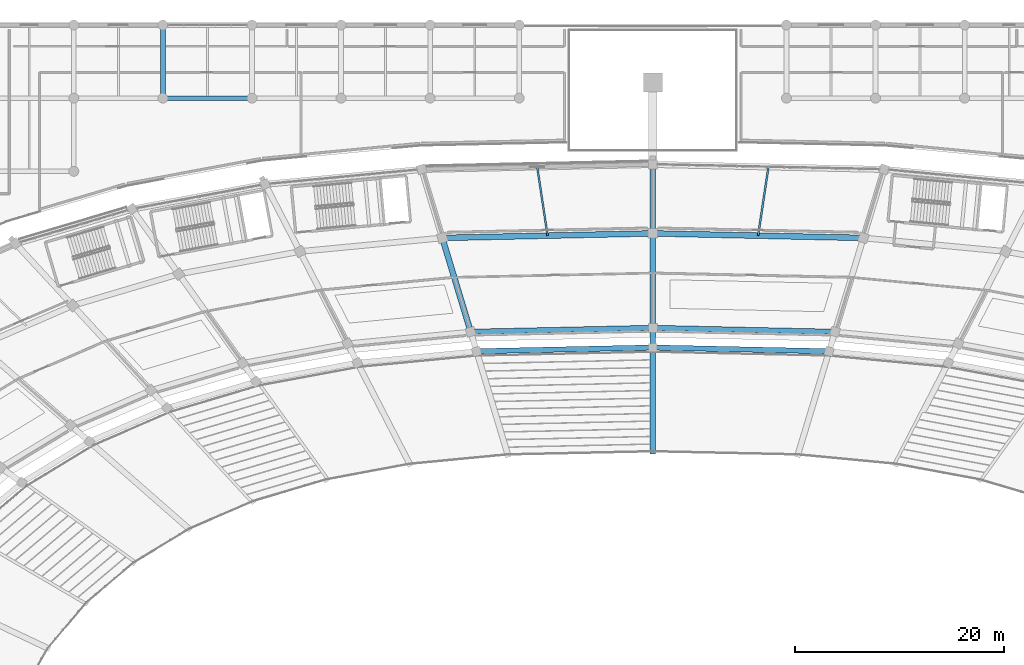
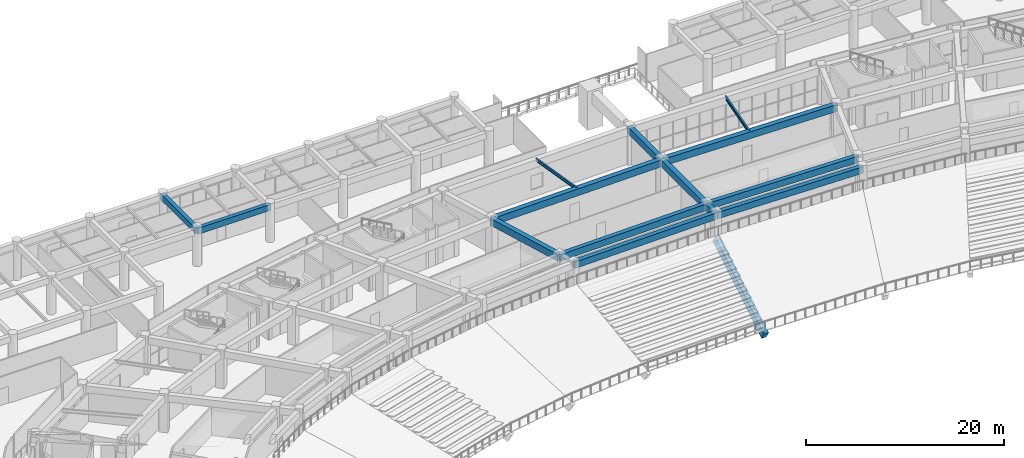
# One storey, part 65 of 152: 15 beams.
"""IFC4 building model written with IfcOpenShell, lengths in metres."""

from ifc_helpers import new_model, si_unit, direction, frame, origin, origin_2d, place, context, subcontext, project, spatial, rectangle, i_section, extrude, material, material_profile, profile_set, type_object, element, save


model = new_model("IFC4")

# Units and contexts
model_context = context("Model", 3, precision=1e-05, world=origin(), true_north=direction((0.0, 1.0)))
body_context = subcontext(model_context, "Body", "Model", "MODEL_VIEW")
ifc_project = project(units=[si_unit("LENGTHUNIT", "METRE"), si_unit("AREAUNIT", "SQUARE_METRE"), si_unit("VOLUMEUNIT", "CUBIC_METRE"), si_unit("PLANEANGLEUNIT", "RADIAN"), si_unit("MASSUNIT", "GRAM", prefix="KILO")], contexts=[model_context])

# Site, building, storey
site_placement = place(None, origin())
site = spatial("IfcSite", under=ifc_project, at=site_placement, CompositionType="ELEMENT")
building_placement = place(site_placement, origin())
building = spatial("IfcBuilding", under=site, at=building_placement, Name="Mphavela Belvedere Stadium", CompositionType="ELEMENT")
storey_placement = place(building_placement, frame((0.0, 0.0, 5.39990234375)))
storey = spatial("IfcBuildingStorey", under=building, at=storey_placement, Name="L01", CompositionType="ELEMENT", Elevation=5.39990234375)

# Beams
ifc_material_1 = material(Name="Steel S355", Category="steel")
ifc_material_profile_1 = material_profile(ifc_material_1, i_section(OverallWidth=0.169921875, OverallDepth=0.360107421875, WebThickness=0.008056640625, FlangeThickness=0.0126953125, at=origin_2d()), Name="IPE 360")
ifc_profile_set_1 = profile_set([ifc_material_profile_1], Name="Steel S355")
beam_type_1 = type_object("IfcBeamType", Name="BM-JOIST-IPE360", PredefinedType="JOIST", material=ifc_profile_set_1)
beam_1_placement = place(storey_placement, frame((104.93359375, 153.850830078125, 4.3701171875), z_axis=(-0.148900105887, 0.98885224299, 0.0), x_axis=(-0.98885224299, -0.148900105887, 0.0)))
element("IfcBeam", 1, at=beam_1_placement, inside=storey, type_object=beam_type_1, Name="Concourse floor joist L01-13", PredefinedType="JOIST", context=body_context, shape_type="SweptSolid", body=[
    extrude(i_section(OverallWidth=0.169921875, OverallDepth=0.360107421875, WebThickness=0.008056640625, FlangeThickness=0.0126953125, at=origin_2d()), origin(), (0.0, 0.0, 1.0), 6.6552734375),
])
ifc_material_2 = material(Name="Steel S355", Category="steel")
ifc_material_profile_2 = material_profile(ifc_material_2, i_section(OverallWidth=0.179931640625, OverallDepth=0.39990234375, WebThickness=0.008544921875, FlangeThickness=0.013427734375, at=origin_2d()), Name="IPE 400")
ifc_profile_set_2 = profile_set([ifc_material_profile_2], Name="Steel S355")
beam_type_2 = type_object("IfcBeamType", Name="BM-JOIST-IPE400", PredefinedType="JOIST", material=ifc_profile_set_2)
beam_2_placement = place(storey_placement, frame((125.06640625, 153.850830078125, 4.35009765625), z_axis=(0.148900105887, 0.98885224299, 0.0), x_axis=(-0.98885224299, 0.148900105887, 0.0)))
element("IfcBeam", 2, at=beam_2_placement, inside=storey, type_object=beam_type_2, Name="Concourse floor joist L01-12", PredefinedType="JOIST", context=body_context, shape_type="SweptSolid", body=[
    extrude(i_section(OverallWidth=0.179931640625, OverallDepth=0.39990234375, WebThickness=0.008544921875, FlangeThickness=0.013427734375, at=origin_2d()), origin(), (0.0, 0.0, 1.0), 6.6552734375),
])
ifc_material_3 = material(Name="Precast concrete C45/55", Category="concrete")
ifc_material_profile_3 = material_profile(ifc_material_3, rectangle(XDim=0.550048828125, YDim=1.0, at=origin_2d()), Name="PC 550x1000")
ifc_profile_set_3 = profile_set([ifc_material_profile_3], Name="Precast concrete C45/55")
beam_type_3 = type_object("IfcBeamType", Name="BM-RAKER-LOWER", PredefinedType="USERDEFINED", material=ifc_profile_set_3)
beam_3_placement = place(storey_placement, frame((115.0, 133.217529296875, -4.75), z_axis=(0.0, 0.856086917371, 0.516831877796), x_axis=(-1.0, 0.0, 0.0)))
element("IfcBeam", 3, at=beam_3_placement, inside=storey, type_object=beam_type_3, Name="Lower tier precast raker beam RK-L-13", ObjectType="RAKER BEAM", PredefinedType="USERDEFINED", context=body_context, shape_type="SweptSolid", body=[
    extrude(rectangle(XDim=0.550048828125, YDim=1.0, at=origin_2d()), origin(), (0.0, 0.0, 1.0), 11.609130859375),
])
ifc_material_4 = material(Name="Concrete C40/50", Category="concrete")
ifc_material_profile_4 = material_profile(ifc_material_4, rectangle(XDim=0.449951171875, YDim=0.75, at=origin_2d()), Name="RC 450x750")
ifc_profile_set_4 = profile_set([ifc_material_profile_4], Name="Concrete C40/50")
beam_type_4 = type_object("IfcBeamType", Name="BM-RC450x750", PredefinedType="BEAM", material=ifc_profile_set_4)
beam_4_placement = place(storey_placement, frame((68.14794921875, 167.0, 4.1650390625), z_axis=(1.0, 0.0, 0.0), x_axis=(0.0, 1.0, 0.0)))
element("IfcBeam", 4, at=beam_4_placement, inside=storey, type_object=beam_type_4, Name="North Mast and Ceremonial End Forecourt entablature beam X L01 9-7", PredefinedType="BEAM", context=body_context, shape_type="SweptSolid", body=[
    extrude(rectangle(XDim=0.449951171875, YDim=0.75, at=origin_2d()), origin(), (0.0, 0.0, 1.0), 8.51904296875),
])
beam_5_placement = place(storey_placement, frame((68.14794921875, 167.0, 4.1650390625), z_axis=(0.0, 1.0, 0.0), x_axis=(-1.0, 0.0, 0.0)))
element("IfcBeam", 5, at=beam_5_placement, inside=storey, type_object=beam_type_4, Name="North Mast and Ceremonial End Forecourt entablature beam Y L01 9-7", PredefinedType="BEAM", context=body_context, shape_type="SweptSolid", body=[
    extrude(rectangle(XDim=0.449951171875, YDim=0.75, at=origin_2d()), origin(), (0.0, 0.0, 1.0), 7.0),
])
ifc_material_5 = material(Name="Concrete C40/50", Category="concrete")
ifc_material_profile_5 = material_profile(ifc_material_5, rectangle(XDim=0.5, YDim=0.800048828125, at=origin_2d()), Name="RC 500x800")
ifc_profile_set_5 = profile_set([ifc_material_profile_5], Name="Concrete C40/50")
beam_type_5 = type_object("IfcBeamType", Name="BM-RC500x800", PredefinedType="BEAM", material=ifc_profile_set_5)
beam_6_placement = place(storey_placement, frame((131.857177734375, 142.79296875, 4.150146484375), z_axis=(-0.9997681798, 0.021531062658, 0.0), x_axis=(-0.021531062658, -0.9997681798, 0.0)))
element("IfcBeam", 6, at=beam_6_placement, inside=storey, type_object=beam_type_5, Name="Circumferential girder L01 R1-12", PredefinedType="BEAM", context=body_context, shape_type="SweptSolid", body=[
    extrude(rectangle(XDim=0.5, YDim=0.800048828125, at=origin_2d()), origin(), (0.0, 0.0, 1.0), 16.861083984375),
])
beam_7_placement = place(storey_placement, frame((132.42041015625, 144.657470703125, 4.150146484375), z_axis=(-0.999768385959, 0.021521487805, 0.0), x_axis=(-0.021521487805, -0.999768385959, 0.0)))
element("IfcBeam", 7, at=beam_7_placement, inside=storey, type_object=beam_type_5, Name="Circumferential girder L01 R2-12", PredefinedType="BEAM", context=body_context, shape_type="SweptSolid", body=[
    extrude(rectangle(XDim=0.5, YDim=0.800048828125, at=origin_2d()), origin(), (0.0, 0.0, 1.0), 17.424560546875),
])
beam_8_placement = place(storey_placement, frame((115.0, 143.156005859375, 4.150146484375), z_axis=(-0.9997681798, -0.021531062658, 0.0), x_axis=(0.021531062658, -0.9997681798, 0.0)))
element("IfcBeam", 8, at=beam_8_placement, inside=storey, type_object=beam_type_5, Name="Circumferential girder L01 R1-13", PredefinedType="BEAM", context=body_context, shape_type="SweptSolid", body=[
    extrude(rectangle(XDim=0.5, YDim=0.800048828125, at=origin_2d()), origin(), (0.0, 0.0, 1.0), 16.861083984375),
])
beam_9_placement = place(storey_placement, frame((115.0, 145.032470703125, 4.150146484375), z_axis=(-0.999768385959, -0.021521487805, 0.0), x_axis=(0.021521487805, -0.999768385959, 0.0)))
element("IfcBeam", 9, at=beam_9_placement, inside=storey, type_object=beam_type_5, Name="Circumferential girder L01 R2-13", PredefinedType="BEAM", context=body_context, shape_type="SweptSolid", body=[
    extrude(rectangle(XDim=0.5, YDim=0.800048828125, at=origin_2d()), origin(), (0.0, 0.0, 1.0), 17.424560546875),
])
ifc_material_6 = material(Name="Concrete C40/50", Category="concrete")
ifc_material_profile_6 = material_profile(ifc_material_6, rectangle(XDim=0.550048828125, YDim=0.85009765625, at=origin_2d()), Name="RC 550x850")
ifc_profile_set_6 = profile_set([ifc_material_profile_6], Name="Concrete C40/50")
beam_type_6 = type_object("IfcBeamType", Name="BM-RC550x850", PredefinedType="BEAM", material=ifc_profile_set_6)
for number, where, z_axis, x_axis, name in (
    (10, (135.1328125, 153.634033203125, 4.125), (-0.999768427465, 0.02151955955, 0.0), (-0.02151955955, -0.999768427465, 0.0), "Circumferential girder L01 R3-12"),
    (11, (115.0, 154.0673828125, 4.125), (-0.999768427465, -0.02151955955, 0.0), (0.02151955955, -0.999768427465, 0.0), "Circumferential girder L01 R3-13"),
):
    element("IfcBeam", number, at=place(storey_placement, frame(where, z_axis=z_axis, x_axis=x_axis)), inside=storey, type_object=beam_type_6, Name=name, PredefinedType="BEAM", context=body_context, shape_type="SweptSolid", body=[
        extrude(rectangle(XDim=0.550048828125, YDim=0.85009765625, at=origin_2d()), origin(), (0.0, 0.0, 1.0), 20.137451171875),
    ])
beam_10_placement = place(storey_placement, frame((115.0, 143.156005859375, 4.125), z_axis=(0.0, 1.0, 0.0), x_axis=(-1.0, 0.0, 0.0)))
element("IfcBeam", 12, at=beam_10_placement, inside=storey, type_object=beam_type_6, Name="Radial concourse girder L01 R1R2-13", PredefinedType="BEAM", context=body_context, shape_type="SweptSolid", body=[
    extrude(rectangle(XDim=0.550048828125, YDim=0.85009765625, at=origin_2d()), origin(), (0.0, 0.0, 1.0), 1.87646484375),
])
beam_11_placement = place(storey_placement, frame((115.0, 145.032470703125, 4.125), z_axis=(0.0, 1.0, 0.0), x_axis=(-1.0, 0.0, 0.0)))
element("IfcBeam", 13, at=beam_11_placement, inside=storey, type_object=beam_type_6, Name="Radial concourse girder L01 R2R3-13", PredefinedType="BEAM", context=body_context, shape_type="SweptSolid", body=[
    extrude(rectangle(XDim=0.550048828125, YDim=0.85009765625, at=origin_2d()), origin(), (0.0, 0.0, 1.0), 9.034912109375),
])
beam_12_placement = place(storey_placement, frame((115.0, 154.0673828125, 4.125), z_axis=(0.0, 1.0, 0.0), x_axis=(-1.0, 0.0, 0.0)))
element("IfcBeam", 14, at=beam_12_placement, inside=storey, type_object=beam_type_6, Name="Radial concourse girder L01 R3R4-13", PredefinedType="BEAM", context=body_context, shape_type="SweptSolid", body=[
    extrude(rectangle(XDim=0.550048828125, YDim=0.85009765625, at=origin_2d()), origin(), (0.0, 0.0, 1.0), 6.6025390625),
])
beam_13_placement = place(storey_placement, frame((97.57958984375, 144.657470703125, 4.125), z_axis=(-0.289248589313, 0.95725401727, 0.0), x_axis=(-0.95725401727, -0.289248589313, 0.0)))
element("IfcBeam", 15, at=beam_13_placement, inside=storey, type_object=beam_type_6, Name="Radial concourse girder L01 R2R3-14", PredefinedType="BEAM", context=body_context, shape_type="SweptSolid", body=[
    extrude(rectangle(XDim=0.550048828125, YDim=0.85009765625, at=origin_2d()), origin(), (0.0, 0.0, 1.0), 9.37744140625),
])

save(model, "model.ifc")
